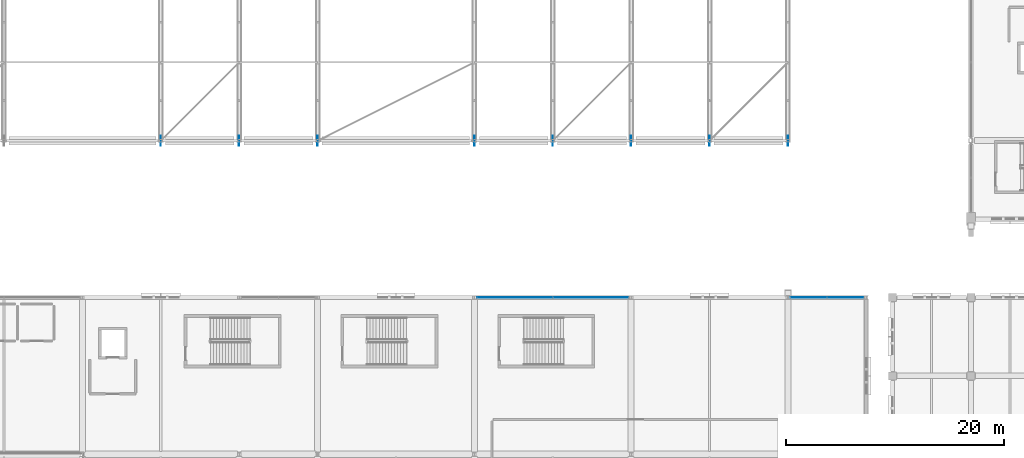
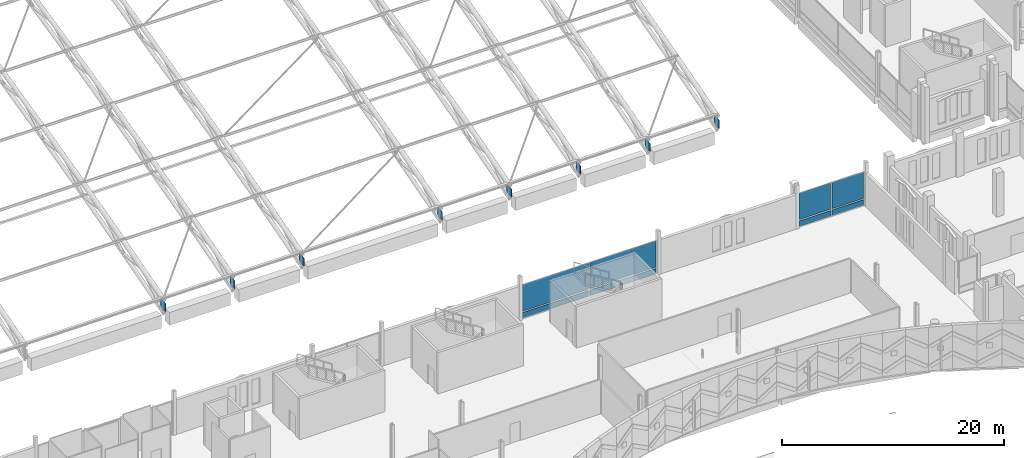
# One storey, part 114 of 193: 16 plates, 2 elements without a shape of their own.
"""IFC4 building model written with IfcOpenShell, lengths in metres."""

from ifc_helpers import new_model, si_unit, direction, frame, origin, origin_2d, place, context, subcontext, project, spatial, rectangle, extrude, material, layer, layer_set, type_object, element, aggregate, save


model = new_model("IFC4")

# Units and contexts
model_context = context("Model", 3, precision=1e-05, world=origin(), true_north=direction((0.0, 1.0)))
body_context = subcontext(model_context, "Body", "Model", "MODEL_VIEW")
ifc_project = project(units=[si_unit("LENGTHUNIT", "METRE"), si_unit("AREAUNIT", "SQUARE_METRE"), si_unit("VOLUMEUNIT", "CUBIC_METRE"), si_unit("PLANEANGLEUNIT", "RADIAN"), si_unit("MASSUNIT", "GRAM", prefix="KILO")], contexts=[model_context])

# Site, building, storey
site_placement = place(None, origin())
site = spatial("IfcSite", under=ifc_project, at=site_placement, CompositionType="ELEMENT")
building_placement = place(site_placement, origin())
building = spatial("IfcBuilding", under=site, at=building_placement, Name="Cendralis Lancet Convention Centre", CompositionType="ELEMENT")
storey_placement = place(building_placement, frame((0.0, 0.0, 10.199951171875)))
storey = spatial("IfcBuildingStorey", under=building, at=storey_placement, Name="L02", CompositionType="ELEMENT", Elevation=10.199951171875)

# Curtain wall, plates
ifc_material_1 = material(Name="Anodised bronze architectural aluminium", Category="aluminium")
curtain_wall_type = type_object("IfcCurtainWallType", Name="ARC-CW-CL02", PredefinedType="USERDEFINED", material=ifc_material_1)
curtain_wall_1_placement = place(storey_placement, origin())
curtain_wall_1 = element("IfcCurtainWall", 1, at=curtain_wall_1_placement, inside=storey, type_object=curtain_wall_type, Name="L02 Curtain Wall CW-CL2 #173", ObjectType="CURTAIN WALL", PredefinedType="USERDEFINED")
ifc_material_2 = material(Name="Double-glazed low-E solar-control glass", Category="glass")
ifc_layer_1 = layer(ifc_material_2, 0.035888671875, Name="Double-glazed low-E solar-control glass")
ifc_layer_set_1 = layer_set([ifc_layer_1], Name="Double-glazed low-E solar-control glass")
plate_type_1 = type_object("IfcPlateType", Name="ARC-PL-GL03", PredefinedType="CURTAIN_PANEL", material=ifc_layer_set_1)
plate_1_placement = place(storey_placement, frame((97.300048828125, 36.0, 0.81982421875), z_axis=(0.0, 0.0, 1.0), x_axis=(1.0, 0.0, 0.0)))
plate_1 = element("IfcPlate", 2, at=plate_1_placement, type_object=plate_type_1, Name="Vision Glass Panel CW2-CW-CL2-L02-173-PG0", PredefinedType="CURTAIN_PANEL", context=body_context, shape_type="SweptSolid", body=[
    extrude(rectangle(XDim=6.860107421875, YDim=0.035888671875, at=origin_2d()), origin(), (0.0, 0.0, 1.0), 2.885009765625),
])
plate_2_placement = place(storey_placement, frame((104.300048828125, 36.0, 0.81982421875), z_axis=(0.0, 0.0, 1.0), x_axis=(1.0, 0.0, 0.0)))
plate_2 = element("IfcPlate", 3, at=plate_2_placement, type_object=plate_type_1, Name="Vision Glass Panel CW2-CW-CL2-L02-173-PG1", PredefinedType="CURTAIN_PANEL", context=body_context, shape_type="SweptSolid", body=[
    extrude(rectangle(XDim=6.860107421875, YDim=0.035888671875, at=origin_2d()), origin(), (0.0, 0.0, 1.0), 2.885009765625),
])

curtain_wall_2_placement = place(storey_placement, origin())
curtain_wall_2 = element("IfcCurtainWall", 4, at=curtain_wall_2_placement, inside=storey, type_object=curtain_wall_type, Name="L02 Curtain Wall CW-CL2 #174", ObjectType="CURTAIN WALL", PredefinedType="USERDEFINED")
plate_3_placement = place(storey_placement, frame((124.300048828125, 36.0, 0.81982421875), z_axis=(0.0, 0.0, 1.0), x_axis=(1.0, 0.0, 0.0)))
plate_3 = element("IfcPlate", 5, at=plate_3_placement, type_object=plate_type_1, Name="Vision Glass Panel CW2-CW-CL2-L02-174-PG0", PredefinedType="CURTAIN_PANEL", context=body_context, shape_type="SweptSolid", body=[
    extrude(rectangle(XDim=3.260009765625, YDim=0.035888671875, at=origin_2d()), origin(), (0.0, 0.0, 1.0), 2.885009765625),
])
plate_4_placement = place(storey_placement, frame((127.699951171875, 36.0, 0.81982421875), z_axis=(0.0, 0.0, 1.0), x_axis=(1.0, 0.0, 0.0)))
plate_4 = element("IfcPlate", 6, at=plate_4_placement, type_object=plate_type_1, Name="Vision Glass Panel CW2-CW-CL2-L02-174-PG1", PredefinedType="CURTAIN_PANEL", context=body_context, shape_type="SweptSolid", body=[
    extrude(rectangle(XDim=3.260009765625, YDim=0.035888671875, at=origin_2d()), origin(), (0.0, 0.0, 1.0), 2.885009765625),
])

# Plate
ifc_material_3 = material(Name="Insulated ceramic-fritted spandrel glass", Category="glass")
ifc_layer_2 = layer(ifc_material_3, 0.044921875, Name="Insulated ceramic-fritted spandrel glass")
ifc_layer_set_2 = layer_set([ifc_layer_2], Name="Insulated ceramic-fritted spandrel glass")
plate_type_2 = type_object("IfcPlateType", Name="ARC-PL-SP01", PredefinedType="CURTAIN_PANEL", material=ifc_layer_set_2)
plate_5_placement = place(storey_placement, frame((97.300048828125, 36.0, 0.06982421875), z_axis=(0.0, 0.0, 1.0), x_axis=(1.0, 0.0, 0.0)))
plate_5 = element("IfcPlate", 7, at=plate_5_placement, type_object=plate_type_2, Name="Spandrel Panel CW2-CW-CL2-L02-173-PS0", PredefinedType="CURTAIN_PANEL", context=body_context, shape_type="SweptSolid", body=[
    extrude(rectangle(XDim=6.860107421875, YDim=0.044921875, at=origin_2d()), origin(), (0.0, 0.0, 1.0), 0.610107421875),
])

plate_6_placement = place(storey_placement, frame((104.300048828125, 36.0, 0.06982421875), z_axis=(0.0, 0.0, 1.0), x_axis=(1.0, 0.0, 0.0)))
plate_6 = element("IfcPlate", 8, at=plate_6_placement, type_object=plate_type_2, Name="Spandrel Panel CW2-CW-CL2-L02-173-PS1", PredefinedType="CURTAIN_PANEL", context=body_context, shape_type="SweptSolid", body=[
    extrude(rectangle(XDim=6.860107421875, YDim=0.044921875, at=origin_2d()), origin(), (0.0, 0.0, 1.0), 0.610107421875),
])

aggregate(curtain_wall_1, [plate_5, plate_1, plate_6, plate_2])

plate_7_placement = place(storey_placement, frame((124.300048828125, 36.0, 0.06982421875), z_axis=(0.0, 0.0, 1.0), x_axis=(1.0, 0.0, 0.0)))
plate_7 = element("IfcPlate", 9, at=plate_7_placement, type_object=plate_type_2, Name="Spandrel Panel CW2-CW-CL2-L02-174-PS0", PredefinedType="CURTAIN_PANEL", context=body_context, shape_type="SweptSolid", body=[
    extrude(rectangle(XDim=3.260009765625, YDim=0.044921875, at=origin_2d()), origin(), (0.0, 0.0, 1.0), 0.610107421875),
])

plate_8_placement = place(storey_placement, frame((127.699951171875, 36.0, 0.06982421875), z_axis=(0.0, 0.0, 1.0), x_axis=(1.0, 0.0, 0.0)))
plate_8 = element("IfcPlate", 10, at=plate_8_placement, type_object=plate_type_2, Name="Spandrel Panel CW2-CW-CL2-L02-174-PS1", PredefinedType="CURTAIN_PANEL", context=body_context, shape_type="SweptSolid", body=[
    extrude(rectangle(XDim=3.260009765625, YDim=0.044921875, at=origin_2d()), origin(), (0.0, 0.0, 1.0), 0.610107421875),
])

aggregate(curtain_wall_2, [plate_7, plate_3, plate_8, plate_4])

# Plates
ifc_material_4 = material(Name="Steel S355", Category="steel")
ifc_layer_3 = layer(ifc_material_4, 0.031982421875, Name="Steel S355")
ifc_layer_set_3 = layer_set([ifc_layer_3], Name="Steel S355")
plate_type_3 = type_object("IfcPlateType", Name="STR-PL-GP32", PredefinedType="USERDEFINED", material=ifc_layer_set_3)
plate_9_placement = place(storey_placement, frame((122.39990234375, 50.39990234375, 2.4501953125), z_axis=(0.0, 0.0, 1.0), x_axis=(0.0, 1.0, 0.0)))
element("IfcPlate", 11, at=plate_9_placement, inside=storey, type_object=plate_type_3, Name="Truss Gusset Plate GP-32 AT-V1-15-SPR-S", ObjectType="GUSSET PLATE", PredefinedType="USERDEFINED", context=body_context, shape_type="SweptSolid", body=[
    extrude(rectangle(XDim=0.89990234375, YDim=0.031982421875, at=origin_2d()), origin(), (0.0, 0.0, 1.0), 0.89990234375),
])
ifc_layer_4 = layer(ifc_material_4, 0.031982421875, Name="Steel S355")
ifc_layer_set_4 = layer_set([ifc_layer_4], Name="Steel S355")
plate_type_4 = type_object("IfcPlateType", Name="STR-PL-GP32-INT", PredefinedType="USERDEFINED", material=ifc_layer_set_4)
for number, where, z_axis, x_axis, name in (
    (12, (64.800048828125, 50.39990234375, 2.4501953125), (0.0, 0.0, 1.0), (0.0, 1.0, 0.0), "Truss Gusset Plate GP-32 AT-V1-08-SPR-S"),
    (13, (72.0, 50.39990234375, 2.4501953125), (0.0, 0.0, 1.0), (0.0, 1.0, 0.0), "Truss Gusset Plate GP-32 AT-V1-09-SPR-S"),
    (14, (79.199951171875, 50.39990234375, 2.4501953125), (0.0, 0.0, 1.0), (0.0, 1.0, 0.0), "Truss Gusset Plate GP-32 AT-V1-10-SPR-S"),
    (15, (93.60009765625, 50.39990234375, 2.4501953125), (0.0, 0.0, 1.0), (0.0, 1.0, 0.0), "Truss Gusset Plate GP-32 AT-V1-11-SPR-S"),
    (16, (100.800048828125, 50.39990234375, 2.4501953125), (0.0, 0.0, 1.0), (0.0, 1.0, 0.0), "Truss Gusset Plate GP-32 AT-V1-12-SPR-S"),
    (17, (108.0, 50.39990234375, 2.4501953125), (0.0, 0.0, 1.0), (0.0, 1.0, 0.0), "Truss Gusset Plate GP-32 AT-V1-13-SPR-S"),
    (18, (115.199951171875, 50.39990234375, 2.4501953125), (0.0, 0.0, 1.0), (0.0, 1.0, 0.0), "Truss Gusset Plate GP-32 AT-V1-14-SPR-S"),
):
    element("IfcPlate", number, at=place(storey_placement, frame(where, z_axis=z_axis, x_axis=x_axis)), inside=storey, type_object=plate_type_4, Name=name, ObjectType="GUSSET PLATE", PredefinedType="USERDEFINED", context=body_context, shape_type="SweptSolid", body=[
        extrude(rectangle(XDim=0.89990234375, YDim=0.031982421875, at=origin_2d()), origin(), (0.0, 0.0, 1.0), 0.89990234375),
    ])

save(model, "model.ifc")
